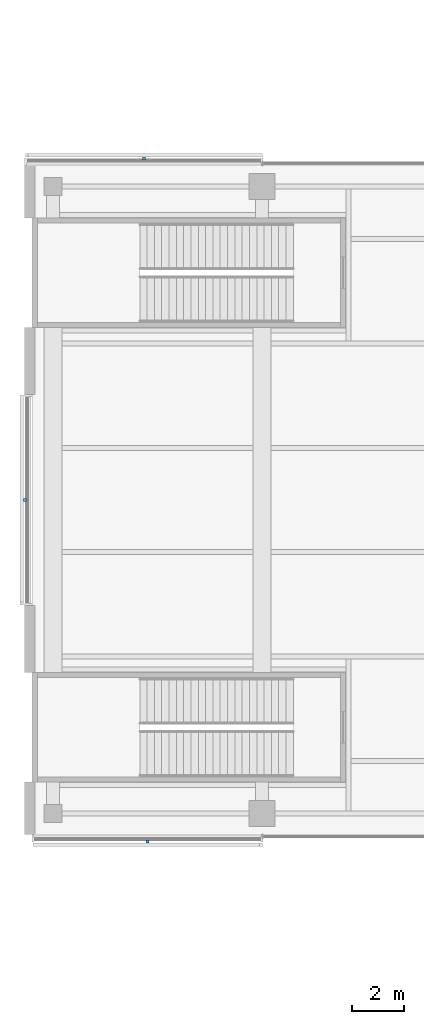
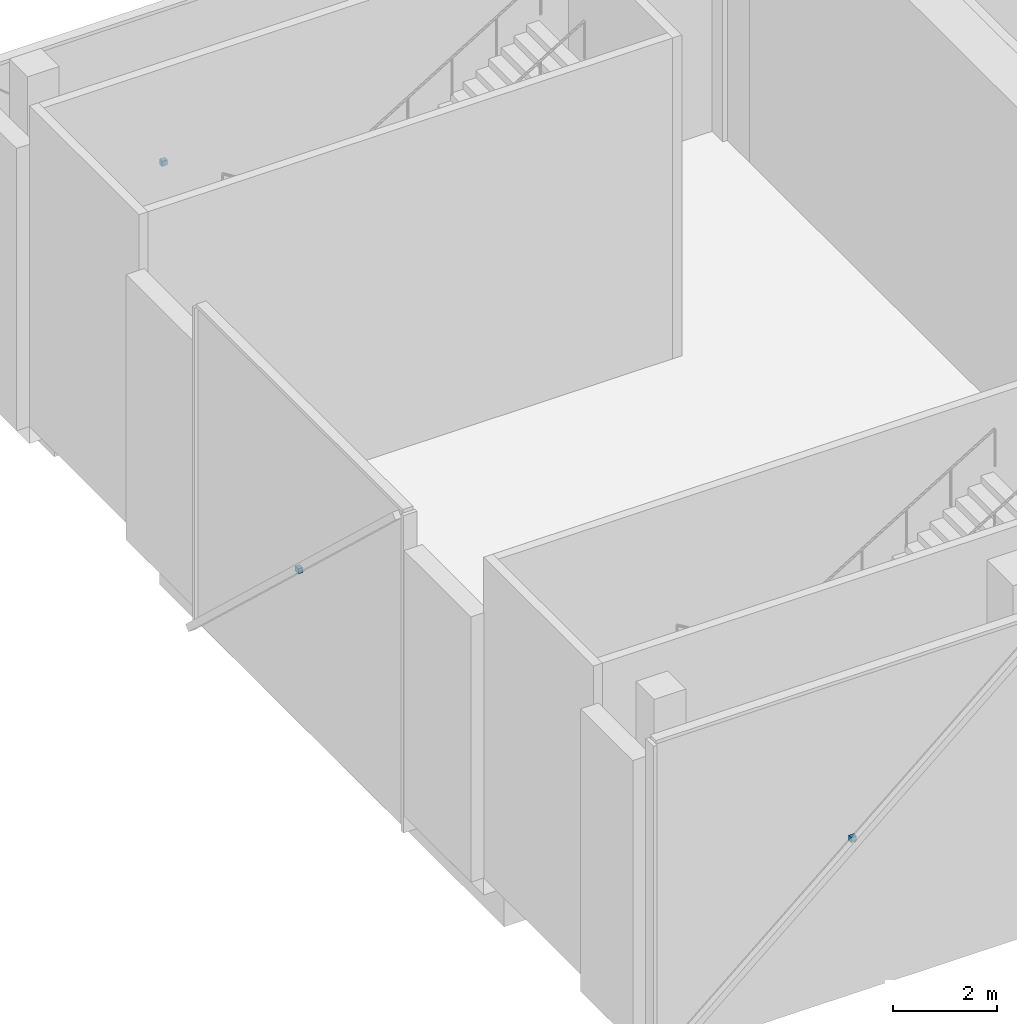
# One storey, part 21 of 25: 3 discrete accessories.
"""IFC4 building model written with IfcOpenShell, lengths in metres."""

from ifc_helpers import new_model, si_unit, direction, frame, origin, origin_2d, place, context, subcontext, project, spatial, rectangle, extrude, material, type_object, element, save


model = new_model("IFC4")

# Units and contexts
model_context = context("Model", 3, precision=1e-05, world=origin(), true_north=direction((0.0, 1.0)))
body_context = subcontext(model_context, "Body", "Model", "MODEL_VIEW")
ifc_project = project(units=[si_unit("LENGTHUNIT", "METRE"), si_unit("AREAUNIT", "SQUARE_METRE"), si_unit("VOLUMEUNIT", "CUBIC_METRE"), si_unit("PLANEANGLEUNIT", "RADIAN"), si_unit("MASSUNIT", "GRAM", prefix="KILO")], contexts=[model_context])

# Site, building, storey
site_placement = place(None, origin())
site = spatial("IfcSite", under=ifc_project, at=site_placement, CompositionType="ELEMENT")
building_placement = place(site_placement, origin())
building = spatial("IfcBuilding", under=site, at=building_placement, Name="Crosswind Convention Tower", CompositionType="ELEMENT")
storey_placement = place(building_placement, frame((0.0, 0.0, 17.5)))
storey = spatial("IfcBuildingStorey", under=building, at=storey_placement, Name="L02", CompositionType="ELEMENT", Elevation=17.5)

# Discrete accessories
ifc_material = material(Name="Stainless steel", Category="steel")
discrete_accessory_type = type_object("IfcDiscreteAccessoryType", Name="BAGUETTE BRACKET BK1", PredefinedType="BRACKET", material=ifc_material)
for number, where, z_axis, x_axis, name in (
    (1, (84.4775390625, 113.073974609375, 3.25), (0.0, 0.0, 1.0), (-1.0, 0.0, 0.0), "BK1 baguette bracket"),
    (2, (79.926025390625, 100.0, 3.25), (0.0, 0.0, 1.0), (0.0, -1.0, 0.0), "BK1 baguette bracket"),
    (3, (84.6201171875, 86.926025390625, 3.25), (0.0, 0.0, 1.0), (1.0, 0.0, 0.0), "BK1 baguette bracket"),
):
    element("IfcDiscreteAccessory", number, at=place(storey_placement, frame(where, z_axis=z_axis, x_axis=x_axis)), inside=storey, type_object=discrete_accessory_type, Name=name, PredefinedType="BRACKET", context=body_context, shape_type="SweptSolid", body=[
        extrude(rectangle(XDim=0.1201171875, YDim=0.10009765625, at=origin_2d()), origin(), (0.0, 0.0, 1.0), 0.1201171875),
    ])

save(model, "model.ifc")
